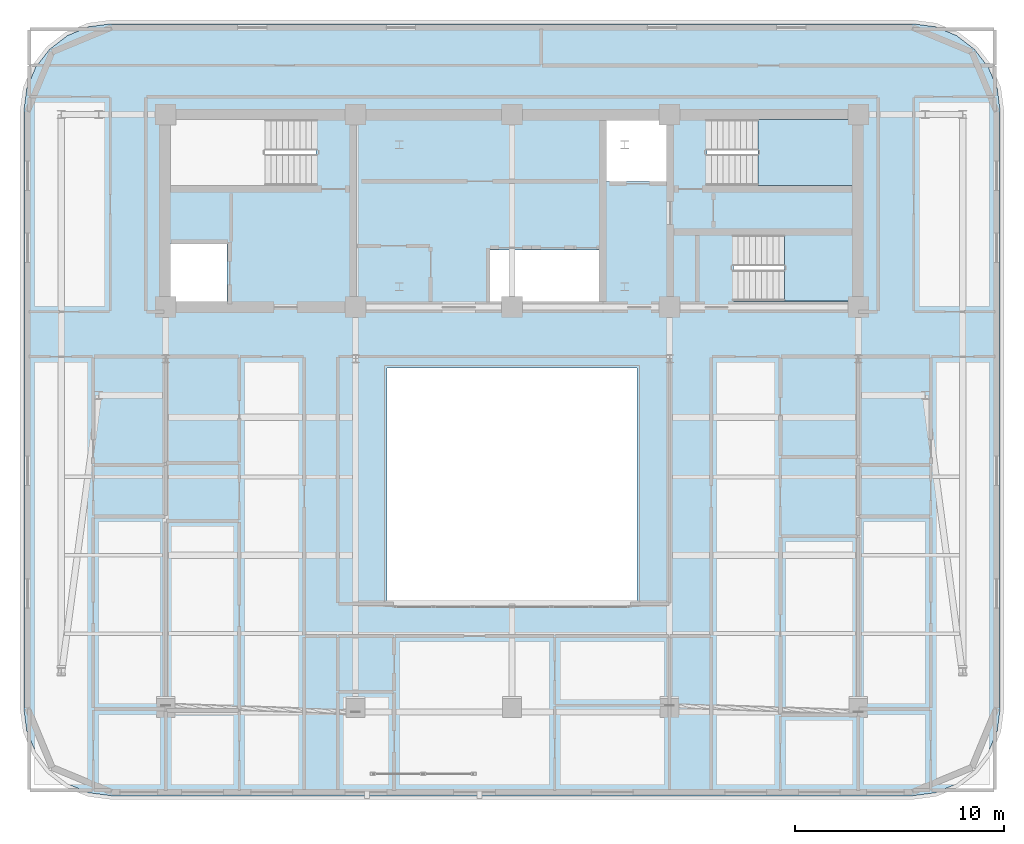
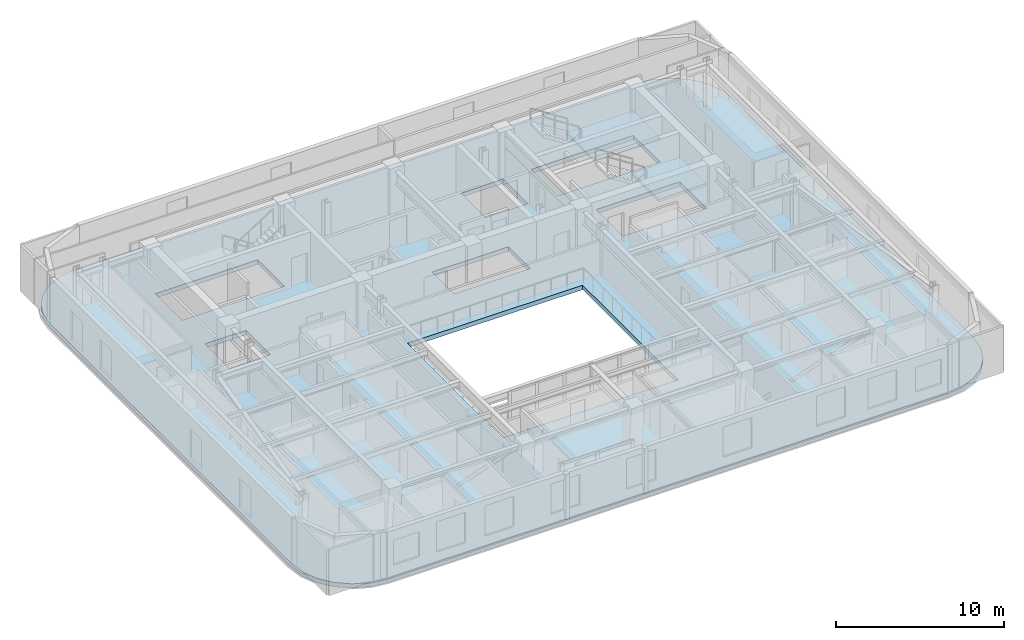
# One storey, part 4 of 14: 3 slabs, 2 elements without a shape of their own.
"""IFC4 building model written with IfcOpenShell, lengths in metres."""

from ifc_helpers import new_model, si_unit, direction, frame, origin, place, context, subcontext, project, spatial, polyline, outline, extrude, material, layer, layer_set, type_object, element, aggregate, save


model = new_model("IFC4")

# Units and contexts
model_context = context("Model", 3, precision=1e-05, world=origin(), true_north=direction((0.0, 1.0)))
body_context = subcontext(model_context, "Body", "Model", "MODEL_VIEW")
ifc_project = project(units=[si_unit("LENGTHUNIT", "METRE"), si_unit("AREAUNIT", "SQUARE_METRE"), si_unit("VOLUMEUNIT", "CUBIC_METRE"), si_unit("PLANEANGLEUNIT", "RADIAN"), si_unit("MASSUNIT", "GRAM", prefix="KILO")], contexts=[model_context])

# Site, building, storey
site_placement = place(None, origin())
site = spatial("IfcSite", under=ifc_project, at=site_placement, CompositionType="ELEMENT")
building_placement = place(site_placement, origin())
building = spatial("IfcBuilding", under=site, at=building_placement, Name="Zarnavel Station Tower", CompositionType="ELEMENT")
storey_placement = place(building_placement, frame((0.0, 0.0, 193.199951171875)))
storey = spatial("IfcBuildingStorey", under=building, at=storey_placement, Name="L52", CompositionType="ELEMENT", Elevation=193.199951171875)

# Slab
ifc_material_1 = material(Name="Concrete C45/55", Category="concrete")
ifc_layer_1 = layer(ifc_material_1, 0.320068359375)
ifc_layer_set_1 = layer_set([ifc_layer_1], Name="SL_FLR_320")
slab_type_1 = type_object("IfcSlabType", Name="SL_FLR_320", PredefinedType="FLOOR", material=ifc_layer_set_1)
slab_1_placement = place(storey_placement, frame((0.0, 0.0, -0.320068359375)))
element("IfcSlab", 1, at=slab_1_placement, inside=storey, type_object=slab_type_1, Name="L52 Structural Floor Slab", PredefinedType="FLOOR", context=body_context, shape_type="SweptSolid", body=[
    extrude(outline(polyline([(48.0, 4.39990234375), (49.0869140625, 4.543212890625), (50.10009765625, 4.962646484375), (50.9697265625, 5.630126953125), (51.63720703125, 6.5), (52.056884765625, 7.512939453125), (52.199951171875, 8.60009765625), (52.199951171875, 37.199951171875), (52.056884765625, 38.287109375), (51.63720703125, 39.300048828125), (50.9697265625, 40.169921875), (50.10009765625, 40.83740234375), (49.0869140625, 41.2568359375), (48.0, 41.39990234375), (9.60009765625, 41.39990234375), (8.512939453125, 41.2568359375), (7.5, 40.83740234375), (6.630126953125, 40.169921875), (5.962646484375, 39.300048828125), (5.543212890625, 38.287109375), (5.39990234375, 37.199951171875), (5.39990234375, 8.60009765625), (5.543212890625, 7.512939453125), (5.962646484375, 6.5), (6.630126953125, 5.630126953125), (7.5, 4.962646484375), (8.512939453125, 4.543212890625), (9.60009765625, 4.39990234375), (48.0, 4.39990234375)]), holes=[polyline([(12.39990234375, 33.659912109375), (19.409912109375, 33.659912109375), (19.409912109375, 36.820068359375), (12.39990234375, 36.820068359375), (12.39990234375, 33.659912109375)]), polyline([(38.14990234375, 33.659912109375), (45.159912109375, 33.659912109375), (45.159912109375, 36.820068359375), (38.14990234375, 36.820068359375), (38.14990234375, 33.659912109375)]), polyline([(39.419921875, 28.1201171875), (45.14990234375, 28.1201171875), (45.14990234375, 31.280029296875), (39.419921875, 31.280029296875), (39.419921875, 28.1201171875)]), polyline([(12.35009765625, 27.949951171875), (15.14990234375, 27.949951171875), (15.14990234375, 30.85009765625), (12.35009765625, 30.85009765625), (12.35009765625, 27.949951171875)]), polyline([(33.320068359375, 33.85009765625), (36.2099609375, 33.85009765625), (36.2099609375, 36.780029296875), (33.320068359375, 36.780029296875), (33.320068359375, 33.85009765625)]), polyline([(27.75, 27.949951171875), (32.97998046875, 27.949951171875), (32.97998046875, 30.550048828125), (27.75, 30.550048828125), (27.75, 27.949951171875)]), polyline([(22.800048828125, 13.60009765625), (34.800048828125, 13.60009765625), (34.800048828125, 24.89990234375), (22.800048828125, 24.89990234375), (22.800048828125, 13.60009765625)])]), origin(), (0.0, 0.0, 1.0), 0.320068359375),
])

# Stair, slab
ifc_material_2 = material(Name="Concrete C45/55", Category="concrete")
stair_type = type_object("IfcStairType", Name="ST_CORE_150", PredefinedType="HALF_TURN_STAIR", material=ifc_material_2)
stair_1_placement = place(storey_placement, origin())
stair_1 = element("IfcStair", 2, at=stair_1_placement, inside=storey, type_object=stair_type, Name="L52 Core Exit Stair ST2", PredefinedType="HALF_TURN_STAIR")
ifc_material_3 = material(Name="Concrete C45/55", Category="concrete")
ifc_layer_2 = layer(ifc_material_3, 0.199951171875)
ifc_layer_set_2 = layer_set([ifc_layer_2], Name="SL_STAIR_LAND_200")
slab_type_2 = type_object("IfcSlabType", Name="SL_STAIR_LAND_200", PredefinedType="LANDING", material=ifc_layer_set_2)
slab_2_placement = place(storey_placement, frame((0.0, 0.0, 1.60009765625)))
slab_2 = element("IfcSlab", 3, at=slab_2_placement, type_object=slab_type_2, Name="ST2 landing 1", PredefinedType="LANDING", context=body_context, shape_type="SweptSolid", body=[
    extrude(outline(polyline([(40.60009765625, 33.659912109375), (45.159912109375, 33.659912109375), (45.159912109375, 36.820068359375), (40.60009765625, 36.820068359375), (40.60009765625, 33.659912109375)])), origin(), (0.0, 0.0, 1.0), 0.199951171875),
])
aggregate(stair_1, [slab_2])

stair_2_placement = place(storey_placement, origin())
stair_2 = element("IfcStair", 4, at=stair_2_placement, inside=storey, type_object=stair_type, Name="L52 Core Exit Stair ST3", PredefinedType="HALF_TURN_STAIR")
slab_3_placement = place(storey_placement, frame((0.0, 0.0, 1.60009765625)))
slab_3 = element("IfcSlab", 5, at=slab_3_placement, type_object=slab_type_2, Name="ST3 landing 1", PredefinedType="LANDING", context=body_context, shape_type="SweptSolid", body=[
    extrude(outline(polyline([(41.8701171875, 28.1201171875), (45.14990234375, 28.1201171875), (45.14990234375, 31.280029296875), (41.8701171875, 31.280029296875), (41.8701171875, 28.1201171875)])), origin(), (0.0, 0.0, 1.0), 0.199951171875),
])
aggregate(stair_2, [slab_3])

save(model, "model.ifc")
